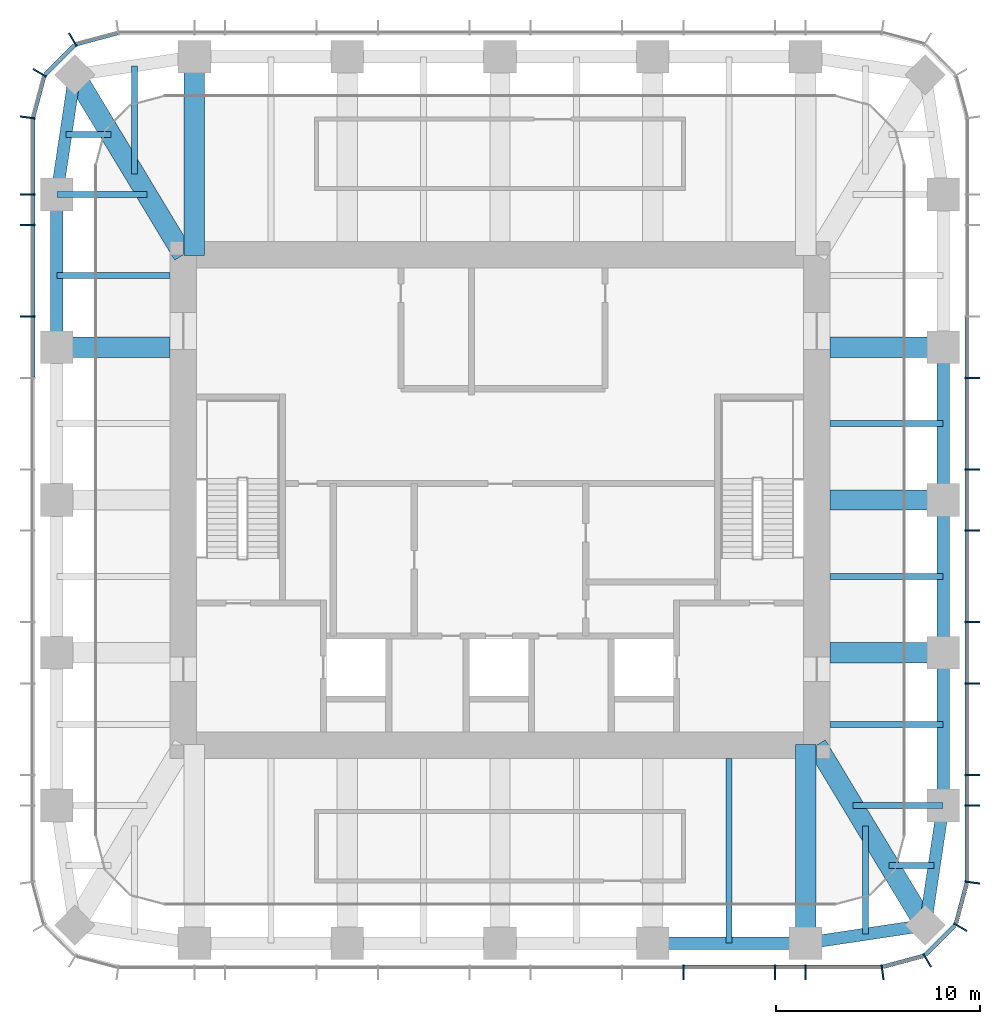
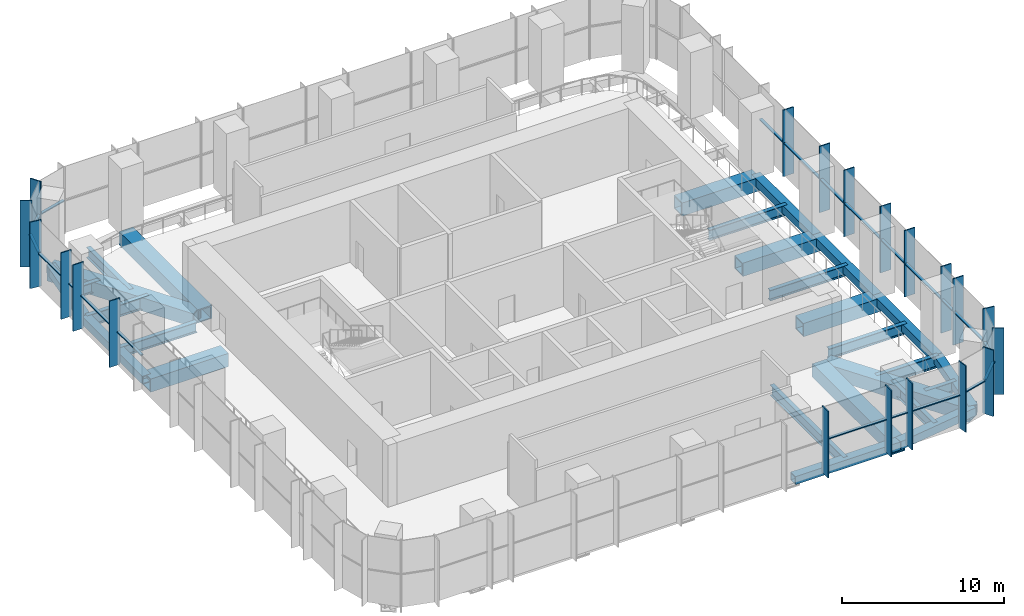
# One storey, part 2 of 10: 57 members, 11 beams, 5 elements without a shape of their own.
"""IFC4 building model written with IfcOpenShell, lengths in metres."""

from ifc_helpers import new_model, si_unit, direction, frame, origin, origin_2d, place, context, subcontext, project, spatial, rectangle, hollow_rectangle, i_section, extrude, material, material_profile, profile_set, type_object, element, aggregate, save


model = new_model("IFC4")

# Units and contexts
model_context = context("Model", 3, precision=1e-05, world=origin(), true_north=direction((0.0, 1.0)))
body_context = subcontext(model_context, "Body", "Model", "MODEL_VIEW")
ifc_project = project(units=[si_unit("LENGTHUNIT", "METRE"), si_unit("AREAUNIT", "SQUARE_METRE"), si_unit("VOLUMEUNIT", "CUBIC_METRE"), si_unit("PLANEANGLEUNIT", "RADIAN"), si_unit("MASSUNIT", "GRAM", prefix="KILO")], contexts=[model_context])

# Site, building, storey
site_placement = place(None, origin())
site = spatial("IfcSite", under=ifc_project, at=site_placement, CompositionType="ELEMENT")
building_placement = place(site_placement, origin())
building = spatial("IfcBuilding", under=site, at=building_placement, Name="Khuree Lantern Residences", CompositionType="ELEMENT")
storey_placement = place(building_placement, frame((0.0, 0.0, 358.25)))
storey = spatial("IfcBuildingStorey", under=building, at=storey_placement, Name="L90", CompositionType="ELEMENT", Elevation=358.25)

# Beams
ifc_material_1 = material(Name="Steel S355", Category="steel")
ifc_material_profile_1 = material_profile(ifc_material_1, i_section(OverallWidth=0.300048828125, OverallDepth=0.7900390625, WebThickness=0.014892578125, FlangeThickness=0.028076171875, FilletRadius=0.030029296875, at=origin_2d()), Name="HE 800 A")
ifc_profile_set_1 = profile_set([ifc_material_profile_1], Name="Steel S355")
beam_type_1 = type_object("IfcBeamType", Name="B-90 SECONDARY BEAM HE 800 A", PredefinedType="BEAM", material=ifc_profile_set_1)
for number, where, z_axis, x_axis, name in (
    (1, (21.699951171875, 3.739990234375, -0.695068359375), (-1.0, 0.0, 0.0), (0.0, -1.0, 0.0), "Secondary beam E3"),
    (2, (21.699951171875, -3.739990234375, -0.695068359375), (-1.0, 0.0, 0.0), (0.0, -1.0, 0.0), "Secondary beam E4"),
    (3, (21.699951171875, -11.0, -0.695068359375), (-1.0, 0.0, 0.0), (0.0, -1.0, 0.0), "Secondary beam E5"),
):
    element("IfcBeam", number, at=place(storey_placement, frame(where, z_axis=z_axis, x_axis=x_axis)), inside=storey, type_object=beam_type_1, Name=name, PredefinedType="BEAM", context=body_context, shape_type="SweptSolid", body=[
        extrude(i_section(OverallWidth=0.300048828125, OverallDepth=0.7900390625, WebThickness=0.014892578125, FlangeThickness=0.028076171875, FilletRadius=0.030029296875, at=origin_2d()), origin(), (0.0, 0.0, 1.0), 5.550048828125),
    ])
beam_1_placement = place(storey_placement, frame((21.2607421875, -17.890625, -0.695068359375), z_axis=(-1.0, 0.0, 0.0), x_axis=(0.0, -1.0, 0.0)))
element("IfcBeam", 4, at=beam_1_placement, inside=storey, type_object=beam_type_1, Name="Secondary beam E6", PredefinedType="BEAM", context=body_context, shape_type="SweptSolid", body=[
    extrude(i_section(OverallWidth=0.300048828125, OverallDepth=0.7900390625, WebThickness=0.014892578125, FlangeThickness=0.028076171875, FilletRadius=0.030029296875, at=origin_2d()), origin(), (0.0, 0.0, 1.0), 2.207275390625),
])
beam_2_placement = place(storey_placement, frame((17.890625, -21.2607421875, -0.695068359375), z_axis=(0.0, 1.0, 0.0), x_axis=(-1.0, 0.0, 0.0)))
element("IfcBeam", 5, at=beam_2_placement, inside=storey, type_object=beam_type_1, Name="Secondary beam S1", PredefinedType="BEAM", context=body_context, shape_type="SweptSolid", body=[
    extrude(i_section(OverallWidth=0.300048828125, OverallDepth=0.7900390625, WebThickness=0.014892578125, FlangeThickness=0.028076171875, FilletRadius=0.030029296875, at=origin_2d()), origin(), (0.0, 0.0, 1.0), 5.297607421875),
])
beam_3_placement = place(storey_placement, frame((11.219970703125, -21.699951171875, -0.695068359375), z_axis=(0.0, 1.0, 0.0), x_axis=(-1.0, 0.0, 0.0)))
element("IfcBeam", 6, at=beam_3_placement, inside=storey, type_object=beam_type_1, Name="Secondary beam S2", PredefinedType="BEAM", context=body_context, shape_type="SweptSolid", body=[
    extrude(i_section(OverallWidth=0.300048828125, OverallDepth=0.7900390625, WebThickness=0.014892578125, FlangeThickness=0.028076171875, FilletRadius=0.030029296875, at=origin_2d()), origin(), (0.0, 0.0, 1.0), 9.050048828125),
])
beam_4_placement = place(storey_placement, frame((-21.699951171875, 11.0, -0.695068359375), z_axis=(1.0, 0.0, 0.0), x_axis=(0.0, 1.0, 0.0)))
element("IfcBeam", 7, at=beam_4_placement, inside=storey, type_object=beam_type_1, Name="Secondary beam W5", PredefinedType="BEAM", context=body_context, shape_type="SweptSolid", body=[
    extrude(i_section(OverallWidth=0.300048828125, OverallDepth=0.7900390625, WebThickness=0.014892578125, FlangeThickness=0.028076171875, FilletRadius=0.030029296875, at=origin_2d()), origin(), (0.0, 0.0, 1.0), 5.550048828125),
])
beam_5_placement = place(storey_placement, frame((-21.2607421875, 17.890625, -0.695068359375), z_axis=(1.0, 0.0, 0.0), x_axis=(0.0, 1.0, 0.0)))
element("IfcBeam", 8, at=beam_5_placement, inside=storey, type_object=beam_type_1, Name="Secondary beam W6", PredefinedType="BEAM", context=body_context, shape_type="SweptSolid", body=[
    extrude(i_section(OverallWidth=0.300048828125, OverallDepth=0.7900390625, WebThickness=0.014892578125, FlangeThickness=0.028076171875, FilletRadius=0.030029296875, at=origin_2d()), origin(), (0.0, 0.0, 1.0), 2.207275390625),
])
beam_6_placement = place(storey_placement, frame((-17.890625, 21.2607421875, -0.695068359375), z_axis=(0.0, -1.0, 0.0), x_axis=(1.0, 0.0, 0.0)))
element("IfcBeam", 9, at=beam_6_placement, inside=storey, type_object=beam_type_1, Name="Secondary beam N6", PredefinedType="BEAM", context=body_context, shape_type="SweptSolid", body=[
    extrude(i_section(OverallWidth=0.300048828125, OverallDepth=0.7900390625, WebThickness=0.014892578125, FlangeThickness=0.028076171875, FilletRadius=0.030029296875, at=origin_2d()), origin(), (0.0, 0.0, 1.0), 5.297607421875),
])

# Members
ifc_material_profile_2 = material_profile(ifc_material_1, hollow_rectangle(XDim=0.60009765625, YDim=0.60009765625, WallThickness=0.050048828125, at=origin_2d()), Name="WELDED BOX 600X600X50")
ifc_profile_set_2 = profile_set([ifc_material_profile_2], Name="Steel S355")
member_type_1 = type_object("IfcMemberType", Name="BT-90 BELT TRUSS CHORD WELDED BOX 600X600X50", PredefinedType="CHORD", material=ifc_profile_set_2)
for number, where, z_axis, x_axis, name in (
    (10, (21.699951171875, 7.47998046875, -0.60009765625), (0.0, -1.0, 0.0), (1.0, 0.0, 0.0), "Belt truss chord E3"),
    (11, (21.699951171875, 0.0, -0.60009765625), (0.0, -1.0, 0.0), (1.0, 0.0, 0.0), "Belt truss chord E4"),
    (12, (21.699951171875, -7.47998046875, -0.60009765625), (0.0, -1.0, 0.0), (1.0, 0.0, 0.0), "Belt truss chord E5"),
):
    element("IfcMember", number, at=place(storey_placement, frame(where, z_axis=z_axis, x_axis=x_axis)), inside=storey, type_object=member_type_1, Name=name, PredefinedType="CHORD", context=body_context, shape_type="SweptSolid", body=[
        extrude(hollow_rectangle(XDim=0.60009765625, YDim=0.60009765625, WallThickness=0.050048828125, at=origin_2d()), origin(), (0.0, 0.0, 1.0), 7.47998046875),
    ])
for number, where, z_axis, x_axis, name in (
    (13, (21.699951171875, -14.9599609375, -0.60009765625), (-0.148251822985, -0.988949643299, 0.0), (0.988949643299, -0.148251822985, 0.0), "Belt truss chord E6"),
    (14, (20.8212890625, -20.8212890625, -0.60009765625), (-0.988949643299, -0.148251822985, 0.0), (0.148251822985, -0.988949643299, 0.0), "Belt truss chord S1"),
):
    element("IfcMember", number, at=place(storey_placement, frame(where, z_axis=z_axis, x_axis=x_axis)), inside=storey, type_object=member_type_1, Name=name, PredefinedType="CHORD", context=body_context, shape_type="SweptSolid", body=[
        extrude(hollow_rectangle(XDim=0.60009765625, YDim=0.60009765625, WallThickness=0.050048828125, at=origin_2d()), origin(), (0.0, 0.0, 1.0), 5.9267578125),
    ])
for number, where, z_axis, x_axis, name in (
    (15, (14.9599609375, -21.699951171875, -0.60009765625), (-1.0, 0.0, 0.0), (0.0, -1.0, 0.0), "Belt truss chord S2"),
    (16, (-21.699951171875, 7.47998046875, -0.60009765625), (0.0, 1.0, 0.0), (-1.0, 0.0, 0.0), "Belt truss chord W5"),
):
    element("IfcMember", number, at=place(storey_placement, frame(where, z_axis=z_axis, x_axis=x_axis)), inside=storey, type_object=member_type_1, Name=name, PredefinedType="CHORD", context=body_context, shape_type="SweptSolid", body=[
        extrude(hollow_rectangle(XDim=0.60009765625, YDim=0.60009765625, WallThickness=0.050048828125, at=origin_2d()), origin(), (0.0, 0.0, 1.0), 7.47998046875),
    ])
member_1_placement = place(storey_placement, frame((-21.699951171875, 14.9599609375, -0.60009765625), z_axis=(0.148251822985, 0.988949643299, 0.0), x_axis=(-0.988949643299, 0.148251822985, 0.0)))
element("IfcMember", 17, at=member_1_placement, inside=storey, type_object=member_type_1, Name="Belt truss chord W6", PredefinedType="CHORD", context=body_context, shape_type="SweptSolid", body=[
    extrude(hollow_rectangle(XDim=0.60009765625, YDim=0.60009765625, WallThickness=0.050048828125, at=origin_2d()), origin(), (0.0, 0.0, 1.0), 5.9267578125),
])

# Curtain wall, members
ifc_material_2 = material(Name="Bronze anodised aluminium", Category="aluminium")
curtain_wall_type = type_object("IfcCurtainWallType", Name="CW-L LANTERN CROWN CURTAIN WALL", PredefinedType="USERDEFINED", material=ifc_material_2)
curtain_wall_1_placement = place(storey_placement, origin())
curtain_wall_1 = element("IfcCurtainWall", 18, at=curtain_wall_1_placement, inside=storey, type_object=curtain_wall_type, Name="L90 SOUTH-EAST CORNER CURTAIN WALL", ObjectType="Lantern curtain wall", PredefinedType="USERDEFINED")
ifc_material_profile_3 = material_profile(ifc_material_2, rectangle(XDim=0.074951171875, YDim=0.75, at=origin_2d()), Name="F4 75X750")
ifc_profile_set_3 = profile_set([ifc_material_profile_3], Name="Bronze anodised aluminium")
member_type_2 = type_object("IfcMemberType", Name="F4 BRONZE FIN MULLION LANTERN 75X750", PredefinedType="MULLION", material=ifc_profile_set_3)
member_2_placement = place(storey_placement, frame((18.7294921875, -23.12451171875, 0.0), z_axis=(0.0, 0.0, 1.0), x_axis=(0.991444870192, 0.130526125236, 0.0)))
member_2 = element("IfcMember", 19, at=member_2_placement, type_object=member_type_2, Name="L90 SOUTH-EAST CORNER FIN MULLION 1", PredefinedType="MULLION", context=body_context, shape_type="SweptSolid", body=[
    extrude(rectangle(XDim=0.074951171875, YDim=0.75, at=origin_2d()), origin(), (0.0, 0.0, 1.0), 5.0),
])
member_3_placement = place(storey_placement, frame((20.91259765625, -22.5322265625, 0.0), z_axis=(0.0, 0.0, 1.0), x_axis=(0.866025437565, 0.49999994149, 0.0)))
member_3 = element("IfcMember", 20, at=member_3_placement, type_object=member_type_2, Name="L90 SOUTH-EAST CORNER FIN MULLION 2", PredefinedType="MULLION", context=body_context, shape_type="SweptSolid", body=[
    extrude(rectangle(XDim=0.074951171875, YDim=0.75, at=origin_2d()), origin(), (0.0, 0.0, 1.0), 5.0),
])
member_4_placement = place(storey_placement, frame((22.5322265625, -20.91259765625, 0.0), z_axis=(0.0, 0.0, 1.0), x_axis=(0.49999994149, 0.866025437565, 0.0)))
member_4 = element("IfcMember", 21, at=member_4_placement, type_object=member_type_2, Name="L90 SOUTH-EAST CORNER FIN MULLION 3", PredefinedType="MULLION", context=body_context, shape_type="SweptSolid", body=[
    extrude(rectangle(XDim=0.074951171875, YDim=0.75, at=origin_2d()), origin(), (0.0, 0.0, 1.0), 5.0),
])

curtain_wall_2_placement = place(storey_placement, origin())
curtain_wall_2 = element("IfcCurtainWall", 22, at=curtain_wall_2_placement, inside=storey, type_object=curtain_wall_type, Name="L90 EAST FACE CURTAIN WALL", ObjectType="Lantern curtain wall", PredefinedType="USERDEFINED")
member_5_placement = place(storey_placement, frame((23.12451171875, -18.7294921875, 0.0), z_axis=(0.0, 0.0, 1.0), x_axis=(0.130526125236, 0.991444870192, 0.0)))
member_5 = element("IfcMember", 23, at=member_5_placement, type_object=member_type_2, Name="L90 EAST FACE FIN MULLION 4", PredefinedType="MULLION", context=body_context, shape_type="SweptSolid", body=[
    extrude(rectangle(XDim=0.074951171875, YDim=0.75, at=origin_2d()), origin(), (0.0, 0.0, 1.0), 5.0),
])
member_6_placement = place(storey_placement, frame((23.125, -14.9599609375, 0.0), z_axis=(0.0, 0.0, 1.0), x_axis=(0.0, 1.0, 0.0)))
member_6 = element("IfcMember", 24, at=member_6_placement, type_object=member_type_2, Name="L90 EAST FACE FIN MULLION 5", PredefinedType="MULLION", context=body_context, shape_type="SweptSolid", body=[
    extrude(rectangle(XDim=0.074951171875, YDim=0.75, at=origin_2d()), origin(), (0.0, 0.0, 1.0), 5.0),
])
member_7_placement = place(storey_placement, frame((23.125, -13.464111328125, 0.0), z_axis=(0.0, 0.0, 1.0), x_axis=(0.0, 1.0, 0.0)))
member_7 = element("IfcMember", 25, at=member_7_placement, type_object=member_type_2, Name="L90 EAST FACE FIN MULLION 6", PredefinedType="MULLION", context=body_context, shape_type="SweptSolid", body=[
    extrude(rectangle(XDim=0.074951171875, YDim=0.75, at=origin_2d()), origin(), (0.0, 0.0, 1.0), 5.0),
])
member_8_placement = place(storey_placement, frame((23.125, -8.97607421875, 0.0), z_axis=(0.0, 0.0, 1.0), x_axis=(0.0, 1.0, 0.0)))
member_8 = element("IfcMember", 26, at=member_8_placement, type_object=member_type_2, Name="L90 EAST FACE FIN MULLION 7", PredefinedType="MULLION", context=body_context, shape_type="SweptSolid", body=[
    extrude(rectangle(XDim=0.074951171875, YDim=0.75, at=origin_2d()), origin(), (0.0, 0.0, 1.0), 5.0),
])
member_9_placement = place(storey_placement, frame((23.125, -5.98388671875, 0.0), z_axis=(0.0, 0.0, 1.0), x_axis=(0.0, 1.0, 0.0)))
member_9 = element("IfcMember", 27, at=member_9_placement, type_object=member_type_2, Name="L90 EAST FACE FIN MULLION 8", PredefinedType="MULLION", context=body_context, shape_type="SweptSolid", body=[
    extrude(rectangle(XDim=0.074951171875, YDim=0.75, at=origin_2d()), origin(), (0.0, 0.0, 1.0), 5.0),
])
member_10_placement = place(storey_placement, frame((23.125, -1.49609375, 0.0), z_axis=(0.0, 0.0, 1.0), x_axis=(0.0, 1.0, 0.0)))
member_10 = element("IfcMember", 28, at=member_10_placement, type_object=member_type_2, Name="L90 EAST FACE FIN MULLION 9", PredefinedType="MULLION", context=body_context, shape_type="SweptSolid", body=[
    extrude(rectangle(XDim=0.074951171875, YDim=0.75, at=origin_2d()), origin(), (0.0, 0.0, 1.0), 5.0),
])
member_11_placement = place(storey_placement, frame((23.125, 1.49609375, 0.0), z_axis=(0.0, 0.0, 1.0), x_axis=(0.0, 1.0, 0.0)))
member_11 = element("IfcMember", 29, at=member_11_placement, type_object=member_type_2, Name="L90 EAST FACE FIN MULLION 10", PredefinedType="MULLION", context=body_context, shape_type="SweptSolid", body=[
    extrude(rectangle(XDim=0.074951171875, YDim=0.75, at=origin_2d()), origin(), (0.0, 0.0, 1.0), 5.0),
])
member_12_placement = place(storey_placement, frame((23.125, 5.98388671875, 0.0), z_axis=(0.0, 0.0, 1.0), x_axis=(0.0, 1.0, 0.0)))
member_12 = element("IfcMember", 30, at=member_12_placement, type_object=member_type_2, Name="L90 EAST FACE FIN MULLION 11", PredefinedType="MULLION", context=body_context, shape_type="SweptSolid", body=[
    extrude(rectangle(XDim=0.074951171875, YDim=0.75, at=origin_2d()), origin(), (0.0, 0.0, 1.0), 5.0),
])

curtain_wall_3_placement = place(storey_placement, origin())
curtain_wall_3 = element("IfcCurtainWall", 31, at=curtain_wall_3_placement, inside=storey, type_object=curtain_wall_type, Name="L90 NORTH-WEST CORNER CURTAIN WALL", ObjectType="Lantern curtain wall", PredefinedType="USERDEFINED")
member_13_placement = place(storey_placement, frame((-20.91259765625, 22.5322265625, 0.0), z_axis=(0.0, 0.0, 1.0), x_axis=(-0.866025437565, -0.49999994149, 0.0)))
member_13 = element("IfcMember", 32, at=member_13_placement, type_object=member_type_2, Name="L90 NORTH-WEST CORNER FIN MULLION 30", PredefinedType="MULLION", context=body_context, shape_type="SweptSolid", body=[
    extrude(rectangle(XDim=0.074951171875, YDim=0.75, at=origin_2d()), origin(), (0.0, 0.0, 1.0), 5.0),
])
member_14_placement = place(storey_placement, frame((-22.5322265625, 20.91259765625, 0.0), z_axis=(0.0, 0.0, 1.0), x_axis=(-0.49999994149, -0.866025437565, 0.0)))
member_14 = element("IfcMember", 33, at=member_14_placement, type_object=member_type_2, Name="L90 NORTH-WEST CORNER FIN MULLION 31", PredefinedType="MULLION", context=body_context, shape_type="SweptSolid", body=[
    extrude(rectangle(XDim=0.074951171875, YDim=0.75, at=origin_2d()), origin(), (0.0, 0.0, 1.0), 5.0),
])

curtain_wall_4_placement = place(storey_placement, origin())
curtain_wall_4 = element("IfcCurtainWall", 34, at=curtain_wall_4_placement, inside=storey, type_object=curtain_wall_type, Name="L90 WEST FACE CURTAIN WALL", ObjectType="Lantern curtain wall", PredefinedType="USERDEFINED")
member_15_placement = place(storey_placement, frame((-23.12451171875, 18.7294921875, 0.0), z_axis=(0.0, 0.0, 1.0), x_axis=(-0.130526125236, -0.991444870192, 0.0)))
member_15 = element("IfcMember", 35, at=member_15_placement, type_object=member_type_2, Name="L90 WEST FACE FIN MULLION 32", PredefinedType="MULLION", context=body_context, shape_type="SweptSolid", body=[
    extrude(rectangle(XDim=0.074951171875, YDim=0.75, at=origin_2d()), origin(), (0.0, 0.0, 1.0), 5.0),
])
member_16_placement = place(storey_placement, frame((-23.125, 14.9599609375, 0.0), z_axis=(0.0, 0.0, 1.0), x_axis=(0.0, -1.0, 0.0)))
member_16 = element("IfcMember", 36, at=member_16_placement, type_object=member_type_2, Name="L90 WEST FACE FIN MULLION 33", PredefinedType="MULLION", context=body_context, shape_type="SweptSolid", body=[
    extrude(rectangle(XDim=0.074951171875, YDim=0.75, at=origin_2d()), origin(), (0.0, 0.0, 1.0), 5.0),
])
member_17_placement = place(storey_placement, frame((-23.125, 13.464111328125, 0.0), z_axis=(0.0, 0.0, 1.0), x_axis=(0.0, -1.0, 0.0)))
member_17 = element("IfcMember", 37, at=member_17_placement, type_object=member_type_2, Name="L90 WEST FACE FIN MULLION 34", PredefinedType="MULLION", context=body_context, shape_type="SweptSolid", body=[
    extrude(rectangle(XDim=0.074951171875, YDim=0.75, at=origin_2d()), origin(), (0.0, 0.0, 1.0), 5.0),
])
member_18_placement = place(storey_placement, frame((-23.125, 8.97607421875, 0.0), z_axis=(0.0, 0.0, 1.0), x_axis=(0.0, -1.0, 0.0)))
member_18 = element("IfcMember", 38, at=member_18_placement, type_object=member_type_2, Name="L90 WEST FACE FIN MULLION 35", PredefinedType="MULLION", context=body_context, shape_type="SweptSolid", body=[
    extrude(rectangle(XDim=0.074951171875, YDim=0.75, at=origin_2d()), origin(), (0.0, 0.0, 1.0), 5.0),
])

curtain_wall_5_placement = place(storey_placement, origin())
curtain_wall_5 = element("IfcCurtainWall", 39, at=curtain_wall_5_placement, inside=storey, type_object=curtain_wall_type, Name="L90 SOUTH FACE CURTAIN WALL", ObjectType="Lantern curtain wall", PredefinedType="USERDEFINED")
member_19_placement = place(storey_placement, frame((8.97607421875, -23.125, 0.0), z_axis=(0.0, 0.0, 1.0), x_axis=(1.0, 0.0, 0.0)))
member_19 = element("IfcMember", 40, at=member_19_placement, type_object=member_type_2, Name="L90 SOUTH FACE FIN MULLION 54", PredefinedType="MULLION", context=body_context, shape_type="SweptSolid", body=[
    extrude(rectangle(XDim=0.074951171875, YDim=0.75, at=origin_2d()), origin(), (0.0, 0.0, 1.0), 5.0),
])
member_20_placement = place(storey_placement, frame((13.464111328125, -23.125, 0.0), z_axis=(0.0, 0.0, 1.0), x_axis=(1.0, 0.0, 0.0)))
member_20 = element("IfcMember", 41, at=member_20_placement, type_object=member_type_2, Name="L90 SOUTH FACE FIN MULLION 55", PredefinedType="MULLION", context=body_context, shape_type="SweptSolid", body=[
    extrude(rectangle(XDim=0.074951171875, YDim=0.75, at=origin_2d()), origin(), (0.0, 0.0, 1.0), 5.0),
])
member_21_placement = place(storey_placement, frame((14.9599609375, -23.125, 0.0), z_axis=(0.0, 0.0, 1.0), x_axis=(1.0, 0.0, 0.0)))
member_21 = element("IfcMember", 42, at=member_21_placement, type_object=member_type_2, Name="L90 SOUTH FACE FIN MULLION 56", PredefinedType="MULLION", context=body_context, shape_type="SweptSolid", body=[
    extrude(rectangle(XDim=0.074951171875, YDim=0.75, at=origin_2d()), origin(), (0.0, 0.0, 1.0), 5.0),
])

# Beams
ifc_material_profile_4 = material_profile(ifc_material_1, i_section(OverallWidth=0.300048828125, OverallDepth=0.89990234375, WebThickness=0.0185546875, FlangeThickness=0.034912109375, FilletRadius=0.030029296875, at=origin_2d()), Name="HE 900 B")
ifc_profile_set_4 = profile_set([ifc_material_profile_4], Name="Steel S355")
beam_type_2 = type_object("IfcBeamType", Name="G-90 GIRDER HE 900 B", PredefinedType="BEAM", material=ifc_profile_set_4)
for number, where, z_axis, x_axis, name in (
    (43, (21.699951171875, -14.9599609375, -0.75), (-1.0, 0.0, 0.0), (0.0, -1.0, 0.0), "Girder E5"),
    (44, (-21.699951171875, 14.9599609375, -0.75), (1.0, 0.0, 0.0), (0.0, 1.0, 0.0), "Girder W5"),
):
    element("IfcBeam", number, at=place(storey_placement, frame(where, z_axis=z_axis, x_axis=x_axis)), inside=storey, type_object=beam_type_2, Name=name, PredefinedType="BEAM", context=body_context, shape_type="SweptSolid", body=[
        extrude(i_section(OverallWidth=0.300048828125, OverallDepth=0.89990234375, WebThickness=0.0185546875, FlangeThickness=0.034912109375, FilletRadius=0.030029296875, at=origin_2d()), origin(), (0.0, 0.0, 1.0), 4.414306640625),
    ])

# Members
ifc_material_profile_5 = material_profile(ifc_material_1, hollow_rectangle(XDim=1.0, YDim=1.0, WallThickness=0.080078125, at=origin_2d()), Name="WELDED BOX 1000X1000X80")
ifc_profile_set_5 = profile_set([ifc_material_profile_5], Name="Steel S355")
member_type_3 = type_object("IfcMemberType", Name="OT-90 OUTRIGGER TRUSS CHORD WELDED BOX 1000X1000X80", PredefinedType="CHORD", material=ifc_profile_set_5)
member_22_placement = place(storey_placement, frame((-14.9599609375, 21.699951171875, -0.800048828125), z_axis=(0.0, -1.0, 0.0), x_axis=(1.0, 0.0, 0.0)))
element("IfcMember", 45, at=member_22_placement, inside=storey, type_object=member_type_3, Name="Outrigger chord N1", PredefinedType="CHORD", context=body_context, shape_type="SweptSolid", body=[
    extrude(hollow_rectangle(XDim=1.0, YDim=1.0, WallThickness=0.080078125, at=origin_2d()), origin(), (0.0, 0.0, 1.0), 9.723876953125),
])
for number, where, z_axis, x_axis, name in (
    (46, (21.699951171875, 7.47998046875, -0.800048828125), (-1.0, 0.0, 0.0), (0.0, -1.0, 0.0), "Outrigger chord E2"),
    (47, (21.699951171875, 0.0, -0.800048828125), (-1.0, 0.0, 0.0), (0.0, -1.0, 0.0), "Outrigger chord E3"),
    (48, (21.699951171875, -7.47998046875, -0.800048828125), (-1.0, 0.0, 0.0), (0.0, -1.0, 0.0), "Outrigger chord E4"),
):
    element("IfcMember", number, at=place(storey_placement, frame(where, z_axis=z_axis, x_axis=x_axis)), inside=storey, type_object=member_type_3, Name=name, PredefinedType="CHORD", context=body_context, shape_type="SweptSolid", body=[
        extrude(hollow_rectangle(XDim=1.0, YDim=1.0, WallThickness=0.080078125, at=origin_2d()), origin(), (0.0, 0.0, 1.0), 5.550048828125),
    ])
member_23_placement = place(storey_placement, frame((14.9599609375, -21.699951171875, -0.800048828125), z_axis=(0.0, 1.0, 0.0), x_axis=(-1.0, 0.0, 0.0)))
element("IfcMember", 49, at=member_23_placement, inside=storey, type_object=member_type_3, Name="Outrigger chord S1", PredefinedType="CHORD", context=body_context, shape_type="SweptSolid", body=[
    extrude(hollow_rectangle(XDim=1.0, YDim=1.0, WallThickness=0.080078125, at=origin_2d()), origin(), (0.0, 0.0, 1.0), 9.723876953125),
])
member_24_placement = place(storey_placement, frame((-21.699951171875, 7.47998046875, -0.800048828125), z_axis=(1.0, 0.0, 0.0), x_axis=(0.0, 1.0, 0.0)))
element("IfcMember", 50, at=member_24_placement, inside=storey, type_object=member_type_3, Name="Outrigger chord W4", PredefinedType="CHORD", context=body_context, shape_type="SweptSolid", body=[
    extrude(hollow_rectangle(XDim=1.0, YDim=1.0, WallThickness=0.080078125, at=origin_2d()), origin(), (0.0, 0.0, 1.0), 5.550048828125),
])
for number, where, z_axis, x_axis, name in (
    (51, (20.8212890625, -20.8212890625, -0.800048828125), (-0.516529577604, 0.856269347495, 0.0), (-0.856269347495, -0.516529577604, 0.0), "Outrigger chord SE"),
    (52, (-20.8212890625, 20.8212890625, -0.800048828125), (0.516529577604, -0.856269347495, 0.0), (0.856269347495, 0.516529577604, 0.0), "Outrigger chord NW"),
):
    element("IfcMember", number, at=place(storey_placement, frame(where, z_axis=z_axis, x_axis=x_axis)), inside=storey, type_object=member_type_3, Name=name, PredefinedType="CHORD", context=body_context, shape_type="SweptSolid", body=[
        extrude(hollow_rectangle(XDim=1.0, YDim=1.0, WallThickness=0.080078125, at=origin_2d()), origin(), (0.0, 0.0, 1.0), 10.302001953125),
    ])

# Member
ifc_material_profile_6 = material_profile(ifc_material_2, rectangle(XDim=0.199951171875, YDim=0.074951171875, at=origin_2d()), Name="T4 200X75")
ifc_profile_set_6 = profile_set([ifc_material_profile_6], Name="Bronze anodised aluminium")
member_type_4 = type_object("IfcMemberType", Name="TRANSOM T4 LANTERN 200X75", PredefinedType="USERDEFINED", material=ifc_profile_set_6)
member_25_placement = place(storey_placement, frame((18.745361328125, -22.856689453125, 2.5), z_axis=(0.965941126358, 0.258761937717, 0.0), x_axis=(-0.258761937717, 0.965941126358, 0.0)))
member_25 = element("IfcMember", 53, at=member_25_placement, type_object=member_type_4, Name="L90 SOUTH-EAST CORNER TRANSOM 1.1", ObjectType="Transom", PredefinedType="USERDEFINED", context=body_context, shape_type="SweptSolid", body=[
    extrude(rectangle(XDim=0.199951171875, YDim=0.074951171875, at=origin_2d()), origin(), (0.0, 0.0, 1.0), 2.04541015625),
])

member_26_placement = place(storey_placement, frame((20.830810546875, -22.263916015625, 2.5), z_axis=(0.707106781187, 0.707106781187, 0.0), x_axis=(-0.707106781187, 0.707106781187, 0.0)))
member_26 = element("IfcMember", 54, at=member_26_placement, type_object=member_type_4, Name="L90 SOUTH-EAST CORNER TRANSOM 2.1", ObjectType="Transom", PredefinedType="USERDEFINED", context=body_context, shape_type="SweptSolid", body=[
    extrude(rectangle(XDim=0.199951171875, YDim=0.074951171875, at=origin_2d()), origin(), (0.0, 0.0, 1.0), 2.026611328125),
])

member_27_placement = place(storey_placement, frame((22.327392578125, -20.72119140625, 2.5), z_axis=(0.258761937717, 0.965941126358, 0.0), x_axis=(-0.965941126358, 0.258761937717, 0.0)))
member_27 = element("IfcMember", 55, at=member_27_placement, type_object=member_type_4, Name="L90 SOUTH-EAST CORNER TRANSOM 3.1", ObjectType="Transom", PredefinedType="USERDEFINED", context=body_context, shape_type="SweptSolid", body=[
    extrude(rectangle(XDim=0.199951171875, YDim=0.074951171875, at=origin_2d()), origin(), (0.0, 0.0, 1.0), 2.04541015625),
])

aggregate(curtain_wall_1, [member_2, member_3, member_4, member_25, member_26, member_27])

member_28_placement = place(storey_placement, frame((22.8701171875, -18.64501953125, 2.5), z_axis=(0.0, 1.0, 0.0), x_axis=(-1.0, 0.0, 0.0)))
member_28 = element("IfcMember", 56, at=member_28_placement, type_object=member_type_4, Name="L90 EAST FACE TRANSOM 4.1", ObjectType="Transom", PredefinedType="USERDEFINED", context=body_context, shape_type="SweptSolid", body=[
    extrude(rectangle(XDim=0.199951171875, YDim=0.074951171875, at=origin_2d()), origin(), (0.0, 0.0, 1.0), 3.6474609375),
])

member_29_placement = place(storey_placement, frame((22.8701171875, -14.922607421875, 2.5), z_axis=(0.0, 1.0, 0.0), x_axis=(-1.0, 0.0, 0.0)))
member_29 = element("IfcMember", 57, at=member_29_placement, type_object=member_type_4, Name="L90 EAST FACE TRANSOM 5.1", ObjectType="Transom", PredefinedType="USERDEFINED", context=body_context, shape_type="SweptSolid", body=[
    extrude(rectangle(XDim=0.199951171875, YDim=0.074951171875, at=origin_2d()), origin(), (0.0, 0.0, 1.0), 1.421142578125),
])

member_30_placement = place(storey_placement, frame((22.8701171875, -13.426513671875, 2.5), z_axis=(0.0, 1.0, 0.0), x_axis=(-1.0, 0.0, 0.0)))
member_30 = element("IfcMember", 58, at=member_30_placement, type_object=member_type_4, Name="L90 EAST FACE TRANSOM 6.1", ObjectType="Transom", PredefinedType="USERDEFINED", context=body_context, shape_type="SweptSolid", body=[
    extrude(rectangle(XDim=0.199951171875, YDim=0.074951171875, at=origin_2d()), origin(), (0.0, 0.0, 1.0), 4.4130859375),
])

member_31_placement = place(storey_placement, frame((22.8701171875, -8.9384765625, 2.5), z_axis=(0.0, 1.0, 0.0), x_axis=(-1.0, 0.0, 0.0)))
member_31 = element("IfcMember", 59, at=member_31_placement, type_object=member_type_4, Name="L90 EAST FACE TRANSOM 7.1", ObjectType="Transom", PredefinedType="USERDEFINED", context=body_context, shape_type="SweptSolid", body=[
    extrude(rectangle(XDim=0.199951171875, YDim=0.074951171875, at=origin_2d()), origin(), (0.0, 0.0, 1.0), 2.9169921875),
])

member_32_placement = place(storey_placement, frame((22.8701171875, -5.946533203125, 2.5), z_axis=(0.0, 1.0, 0.0), x_axis=(-1.0, 0.0, 0.0)))
member_32 = element("IfcMember", 60, at=member_32_placement, type_object=member_type_4, Name="L90 EAST FACE TRANSOM 8.1", ObjectType="Transom", PredefinedType="USERDEFINED", context=body_context, shape_type="SweptSolid", body=[
    extrude(rectangle(XDim=0.199951171875, YDim=0.074951171875, at=origin_2d()), origin(), (0.0, 0.0, 1.0), 4.4130859375),
])

member_33_placement = place(storey_placement, frame((22.8701171875, -1.45849609375, 2.5), z_axis=(0.0, 1.0, 0.0), x_axis=(-1.0, 0.0, 0.0)))
member_33 = element("IfcMember", 61, at=member_33_placement, type_object=member_type_4, Name="L90 EAST FACE TRANSOM 9.1", ObjectType="Transom", PredefinedType="USERDEFINED", context=body_context, shape_type="SweptSolid", body=[
    extrude(rectangle(XDim=0.199951171875, YDim=0.074951171875, at=origin_2d()), origin(), (0.0, 0.0, 1.0), 2.9169921875),
])

member_34_placement = place(storey_placement, frame((22.8701171875, 1.533447265625, 2.5), z_axis=(0.0, 1.0, 0.0), x_axis=(-1.0, 0.0, 0.0)))
member_34 = element("IfcMember", 62, at=member_34_placement, type_object=member_type_4, Name="L90 EAST FACE TRANSOM 10.1", ObjectType="Transom", PredefinedType="USERDEFINED", context=body_context, shape_type="SweptSolid", body=[
    extrude(rectangle(XDim=0.199951171875, YDim=0.074951171875, at=origin_2d()), origin(), (0.0, 0.0, 1.0), 4.4130859375),
])

member_35_placement = place(storey_placement, frame((22.8701171875, 6.021484375, 2.5), z_axis=(0.0, 1.0, 0.0), x_axis=(-1.0, 0.0, 0.0)))
member_35 = element("IfcMember", 63, at=member_35_placement, type_object=member_type_4, Name="L90 EAST FACE TRANSOM 11.1", ObjectType="Transom", PredefinedType="USERDEFINED", context=body_context, shape_type="SweptSolid", body=[
    extrude(rectangle(XDim=0.199951171875, YDim=0.074951171875, at=origin_2d()), origin(), (0.0, 0.0, 1.0), 2.9169921875),
])

aggregate(curtain_wall_2, [member_5, member_6, member_7, member_8, member_9, member_10, member_11, member_12, member_28, member_29, member_30, member_31, member_32, member_33, member_34, member_35])

member_36_placement = place(storey_placement, frame((-18.745361328125, 22.856689453125, 2.5), z_axis=(-0.965941126358, -0.258761937717, 0.0), x_axis=(0.258761937717, -0.965941126358, 0.0)))
member_36 = element("IfcMember", 64, at=member_36_placement, type_object=member_type_4, Name="L90 NORTH-WEST CORNER TRANSOM 29.1", ObjectType="Transom", PredefinedType="USERDEFINED", context=body_context, shape_type="SweptSolid", body=[
    extrude(rectangle(XDim=0.199951171875, YDim=0.074951171875, at=origin_2d()), origin(), (0.0, 0.0, 1.0), 2.04541015625),
])

member_37_placement = place(storey_placement, frame((-20.830810546875, 22.263916015625, 2.5), z_axis=(-0.707106781187, -0.707106781187, 0.0), x_axis=(0.707106781187, -0.707106781187, 0.0)))
member_37 = element("IfcMember", 65, at=member_37_placement, type_object=member_type_4, Name="L90 NORTH-WEST CORNER TRANSOM 30.1", ObjectType="Transom", PredefinedType="USERDEFINED", context=body_context, shape_type="SweptSolid", body=[
    extrude(rectangle(XDim=0.199951171875, YDim=0.074951171875, at=origin_2d()), origin(), (0.0, 0.0, 1.0), 2.026611328125),
])

member_38_placement = place(storey_placement, frame((-22.327392578125, 20.72119140625, 2.5), z_axis=(-0.258761937717, -0.965941126358, 0.0), x_axis=(0.965941126358, -0.258761937717, 0.0)))
member_38 = element("IfcMember", 66, at=member_38_placement, type_object=member_type_4, Name="L90 NORTH-WEST CORNER TRANSOM 31.1", ObjectType="Transom", PredefinedType="USERDEFINED", context=body_context, shape_type="SweptSolid", body=[
    extrude(rectangle(XDim=0.199951171875, YDim=0.074951171875, at=origin_2d()), origin(), (0.0, 0.0, 1.0), 2.04541015625),
])

aggregate(curtain_wall_3, [member_13, member_14, member_36, member_37, member_38])

member_39_placement = place(storey_placement, frame((-22.8701171875, 18.64501953125, 2.5), z_axis=(0.0, -1.0, 0.0), x_axis=(1.0, 0.0, 0.0)))
member_39 = element("IfcMember", 67, at=member_39_placement, type_object=member_type_4, Name="L90 WEST FACE TRANSOM 32.1", ObjectType="Transom", PredefinedType="USERDEFINED", context=body_context, shape_type="SweptSolid", body=[
    extrude(rectangle(XDim=0.199951171875, YDim=0.074951171875, at=origin_2d()), origin(), (0.0, 0.0, 1.0), 3.6474609375),
])

member_40_placement = place(storey_placement, frame((-22.8701171875, 14.922607421875, 2.5), z_axis=(0.0, -1.0, 0.0), x_axis=(1.0, 0.0, 0.0)))
member_40 = element("IfcMember", 68, at=member_40_placement, type_object=member_type_4, Name="L90 WEST FACE TRANSOM 33.1", ObjectType="Transom", PredefinedType="USERDEFINED", context=body_context, shape_type="SweptSolid", body=[
    extrude(rectangle(XDim=0.199951171875, YDim=0.074951171875, at=origin_2d()), origin(), (0.0, 0.0, 1.0), 1.421142578125),
])

member_41_placement = place(storey_placement, frame((-22.8701171875, 13.426513671875, 2.5), z_axis=(0.0, -1.0, 0.0), x_axis=(1.0, 0.0, 0.0)))
member_41 = element("IfcMember", 69, at=member_41_placement, type_object=member_type_4, Name="L90 WEST FACE TRANSOM 34.1", ObjectType="Transom", PredefinedType="USERDEFINED", context=body_context, shape_type="SweptSolid", body=[
    extrude(rectangle(XDim=0.199951171875, YDim=0.074951171875, at=origin_2d()), origin(), (0.0, 0.0, 1.0), 4.4130859375),
])

member_42_placement = place(storey_placement, frame((-22.8701171875, 8.9384765625, 2.5), z_axis=(0.0, -1.0, 0.0), x_axis=(1.0, 0.0, 0.0)))
member_42 = element("IfcMember", 70, at=member_42_placement, type_object=member_type_4, Name="L90 WEST FACE TRANSOM 35.1", ObjectType="Transom", PredefinedType="USERDEFINED", context=body_context, shape_type="SweptSolid", body=[
    extrude(rectangle(XDim=0.199951171875, YDim=0.074951171875, at=origin_2d()), origin(), (0.0, 0.0, 1.0), 2.9169921875),
])

aggregate(curtain_wall_4, [member_15, member_16, member_17, member_18, member_39, member_40, member_41, member_42])

member_43_placement = place(storey_placement, frame((9.013427734375, -22.8701171875, 2.5), z_axis=(1.0, 0.0, 0.0), x_axis=(0.0, 1.0, 0.0)))
member_43 = element("IfcMember", 71, at=member_43_placement, type_object=member_type_4, Name="L90 SOUTH FACE TRANSOM 54.1", ObjectType="Transom", PredefinedType="USERDEFINED", context=body_context, shape_type="SweptSolid", body=[
    extrude(rectangle(XDim=0.199951171875, YDim=0.074951171875, at=origin_2d()), origin(), (0.0, 0.0, 1.0), 4.4130859375),
])

member_44_placement = place(storey_placement, frame((13.50146484375, -22.8701171875, 2.5), z_axis=(1.0, 0.0, 0.0), x_axis=(0.0, 1.0, 0.0)))
member_44 = element("IfcMember", 72, at=member_44_placement, type_object=member_type_4, Name="L90 SOUTH FACE TRANSOM 55.1", ObjectType="Transom", PredefinedType="USERDEFINED", context=body_context, shape_type="SweptSolid", body=[
    extrude(rectangle(XDim=0.199951171875, YDim=0.074951171875, at=origin_2d()), origin(), (0.0, 0.0, 1.0), 1.421142578125),
])

member_45_placement = place(storey_placement, frame((14.99755859375, -22.8701171875, 2.5), z_axis=(1.0, 0.0, 0.0), x_axis=(0.0, 1.0, 0.0)))
member_45 = element("IfcMember", 73, at=member_45_placement, type_object=member_type_4, Name="L90 SOUTH FACE TRANSOM 56.1", ObjectType="Transom", PredefinedType="USERDEFINED", context=body_context, shape_type="SweptSolid", body=[
    extrude(rectangle(XDim=0.199951171875, YDim=0.074951171875, at=origin_2d()), origin(), (0.0, 0.0, 1.0), 3.6474609375),
])

aggregate(curtain_wall_5, [member_19, member_20, member_21, member_43, member_44, member_45])

save(model, "model.ifc")
